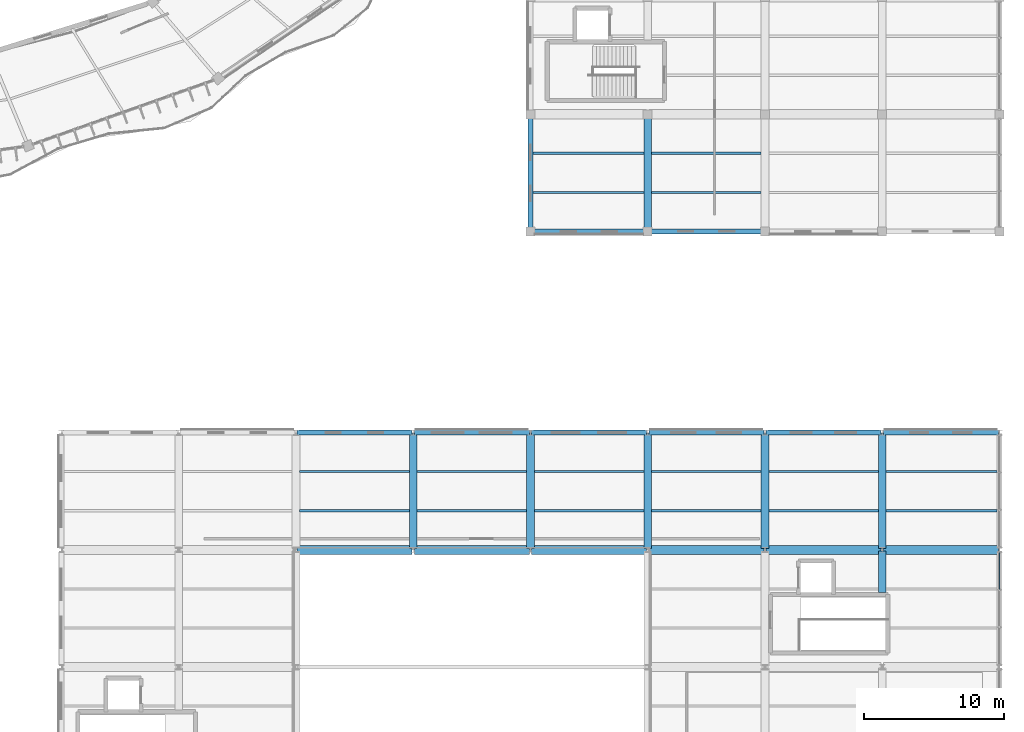
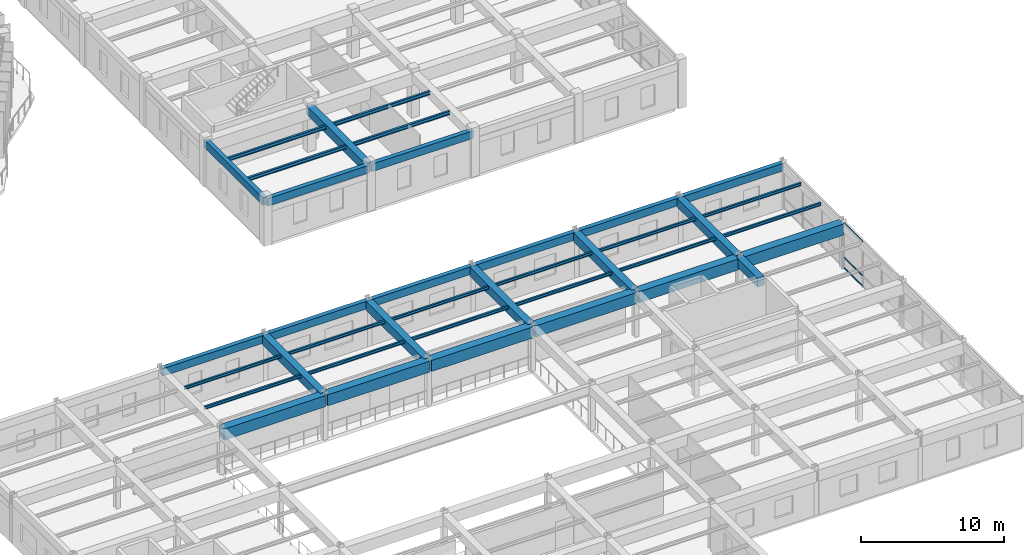
# One storey, part 82 of 138: 38 beams, 3 members, 1 element without a shape of its own.
"""IFC4 building model written with IfcOpenShell, lengths in metres."""

from ifc_helpers import new_model, si_unit, direction, frame, origin, origin_2d, place, context, subcontext, project, spatial, rectangle, hollow_rectangle, i_section, extrude, material, material_profile, profile_set, type_object, element, aggregate, save


model = new_model("IFC4")

# Units and contexts
model_context = context("Model", 3, precision=1e-05, world=origin(), true_north=direction((0.0, 1.0)))
body_context = subcontext(model_context, "Body", "Model", "MODEL_VIEW")
ifc_project = project(units=[si_unit("LENGTHUNIT", "METRE"), si_unit("AREAUNIT", "SQUARE_METRE"), si_unit("VOLUMEUNIT", "CUBIC_METRE"), si_unit("PLANEANGLEUNIT", "RADIAN"), si_unit("MASSUNIT", "GRAM", prefix="KILO"), si_unit("THERMODYNAMICTEMPERATUREUNIT", "KELVIN"), si_unit("POWERUNIT", "WATT")], contexts=[model_context])

# Site, building, storey
site_placement = place(None, origin())
site = spatial("IfcSite", under=ifc_project, at=site_placement, CompositionType="ELEMENT")
building_placement = place(site_placement, origin())
building = spatial("IfcBuilding", under=site, at=building_placement, Name="Darbajah Civic Hall", CompositionType="ELEMENT")
storey_placement = place(building_placement, frame((0.0, 0.0, 9.60009765625)))
storey = spatial("IfcBuildingStorey", under=building, at=storey_placement, Name="L02", CompositionType="ELEMENT", Elevation=9.60009765625)

# Curtain wall, members
ifc_material_1 = material(Name="Anodised Bronze Aluminium and Low-E Glazing", Category="aluminium")
curtain_wall_type = type_object("IfcCurtainWallType", Name="Unitised Curtain Wall CW-94 8000x3900", PredefinedType="USERDEFINED", material=ifc_material_1)
curtain_wall_placement = place(storey_placement, origin())
curtain_wall = element("IfcCurtainWall", 1, at=curtain_wall_placement, inside=storey, type_object=curtain_wall_type, Name="L02 unitised curtain wall CW-V3-L02-S3-B2", ObjectType="UNITISED CURTAIN WALL", PredefinedType="USERDEFINED")
ifc_material_2 = material(Name="Anodised Bronze Aluminium", Category="aluminium")
ifc_material_profile_1 = material_profile(ifc_material_2, hollow_rectangle(XDim=0.06005859375, YDim=0.1201171875, WallThickness=0.003173828125, at=origin_2d()), Name="ALU TRANSOM 60x120")
ifc_profile_set_1 = profile_set([ifc_material_profile_1], Name="Anodised Bronze Aluminium")
member_type = type_object("IfcMemberType", Name="ALU TRANSOM 60x120", PredefinedType="USERDEFINED", material=ifc_profile_set_1)
member_1_placement = place(storey_placement, frame((178.199951171875, 30.772216796875, 0.059814453125), z_axis=(0.0, 1.0, 0.0), x_axis=(-1.0, 0.0, 0.0)))
member_1 = element("IfcMember", 2, at=member_1_placement, type_object=member_type, Name="CW-V3-L02-S3-B2 transom 3.1", ObjectType="TRANSOM", PredefinedType="USERDEFINED", context=body_context, shape_type="SweptSolid", body=[
    extrude(hollow_rectangle(XDim=0.06005859375, YDim=0.1201171875, WallThickness=0.003173828125, at=origin_2d()), origin(), (0.0, 0.0, 1.0), 2.6044921875),
])
member_2_placement = place(storey_placement, frame((178.199951171875, 30.772216796875, 0.949951171875), z_axis=(0.0, 1.0, 0.0), x_axis=(-1.0, 0.0, 0.0)))
member_2 = element("IfcMember", 3, at=member_2_placement, type_object=member_type, Name="CW-V3-L02-S3-B2 transom 3.2", ObjectType="TRANSOM", PredefinedType="USERDEFINED", context=body_context, shape_type="SweptSolid", body=[
    extrude(hollow_rectangle(XDim=0.06005859375, YDim=0.1201171875, WallThickness=0.003173828125, at=origin_2d()), origin(), (0.0, 0.0, 1.0), 2.6044921875),
])
member_3_placement = place(storey_placement, frame((178.199951171875, 30.772216796875, 3.85986328125), z_axis=(0.0, 1.0, 0.0), x_axis=(-1.0, 0.0, 0.0)))
member_3 = element("IfcMember", 4, at=member_3_placement, type_object=member_type, Name="CW-V3-L02-S3-B2 transom 3.3", ObjectType="TRANSOM", PredefinedType="USERDEFINED", context=body_context, shape_type="SweptSolid", body=[
    extrude(hollow_rectangle(XDim=0.06005859375, YDim=0.1201171875, WallThickness=0.003173828125, at=origin_2d()), origin(), (0.0, 0.0, 1.0), 2.6044921875),
])
aggregate(curtain_wall, [member_1, member_2, member_3])

# Beams
ifc_material_3 = material(Name="Concrete C45/55", Category="concrete")
ifc_material_profile_2 = material_profile(ifc_material_3, rectangle(XDim=0.550048828125, YDim=0.75, at=origin_2d()), Name="RC BEAM 550x750")
ifc_profile_set_2 = profile_set([ifc_material_profile_2], Name="Concrete C45/55")
beam_type_1 = type_object("IfcBeamType", Name="RC BEAM 550x750", PredefinedType="BEAM", material=ifc_profile_set_2)
for number, where, z_axis, x_axis, name in (
    (5, (136.199951171875, 33.679931640625, 3.544921875), (0.0, 1.0, 0.0), (-1.0, 0.0, 0.0), "L02 beam BM-5575"),
    (6, (144.60009765625, 33.679931640625, 3.544921875), (0.0, 1.0, 0.0), (-1.0, 0.0, 0.0), "L02 beam BM-5575"),
    (7, (153.0, 33.679931640625, 3.544921875), (0.0, 1.0, 0.0), (-1.0, 0.0, 0.0), "L02 beam BM-5575"),
    (8, (161.39990234375, 33.679931640625, 3.544921875), (0.0, 1.0, 0.0), (-1.0, 0.0, 0.0), "L02 beam BM-5575"),
):
    element("IfcBeam", number, at=place(storey_placement, frame(where, z_axis=z_axis, x_axis=x_axis)), inside=storey, type_object=beam_type_1, Name=name, PredefinedType="BEAM", context=body_context, shape_type="SweptSolid", body=[
        extrude(rectangle(XDim=0.550048828125, YDim=0.75, at=origin_2d()), origin(), (0.0, 0.0, 1.0), 8.239990234375),
    ])
beam_1_placement = place(storey_placement, frame((169.800048828125, 30.5400390625, 3.544921875), z_axis=(0.0, 1.0, 0.0), x_axis=(-1.0, 0.0, 0.0)))
element("IfcBeam", 9, at=beam_1_placement, inside=storey, type_object=beam_type_1, Name="L02 beam BM-5575", PredefinedType="BEAM", context=body_context, shape_type="SweptSolid", body=[
    extrude(rectangle(XDim=0.550048828125, YDim=0.75, at=origin_2d()), origin(), (0.0, 0.0, 1.0), 2.97998046875),
])
for number, where, z_axis, x_axis, name in (
    (10, (169.800048828125, 33.679931640625, 3.544921875), (0.0, 1.0, 0.0), (-1.0, 0.0, 0.0), "L02 beam BM-5575"),
    (11, (153.0, 56.47998046875, 3.48486328125), (0.0, 1.0, 0.0), (-1.0, 0.0, 0.0), "L02 beam BM-5575"),
):
    element("IfcBeam", number, at=place(storey_placement, frame(where, z_axis=z_axis, x_axis=x_axis)), inside=storey, type_object=beam_type_1, Name=name, PredefinedType="BEAM", context=body_context, shape_type="SweptSolid", body=[
        extrude(rectangle(XDim=0.550048828125, YDim=0.75, at=origin_2d()), origin(), (0.0, 0.0, 1.0), 8.239990234375),
    ])
ifc_material_4 = material(Name="Concrete C50/60", Category="concrete")
ifc_material_profile_3 = material_profile(ifc_material_4, rectangle(XDim=0.64990234375, YDim=0.949951171875, at=origin_2d()), Name="RC GIRDER 650x950")
ifc_profile_set_3 = profile_set([ifc_material_profile_3], Name="Concrete C50/60")
beam_type_2 = type_object("IfcBeamType", Name="RC GIRDER 650x950", PredefinedType="BEAM", material=ifc_profile_set_3)
beam_2_placement = place(storey_placement, frame((127.8798828125, 33.60009765625, 3.44482421875), z_axis=(1.0, 0.0, 0.0), x_axis=(0.0, 1.0, 0.0)))
element("IfcBeam", 12, at=beam_2_placement, inside=storey, type_object=beam_type_2, Name="L02 beam BG-6595", PredefinedType="BEAM", context=body_context, shape_type="SweptSolid", body=[
    extrude(rectangle(XDim=0.64990234375, YDim=0.949951171875, at=origin_2d()), origin(), (0.0, 0.0, 1.0), 8.240234375),
])
for number, where, z_axis, x_axis, name in (
    (13, (136.280029296875, 33.60009765625, 3.44482421875), (1.0, 0.0, 0.0), (0.0, 1.0, 0.0), "L02 beam BG-6595"),
    (14, (144.679931640625, 33.60009765625, 3.44482421875), (1.0, 0.0, 0.0), (0.0, 1.0, 0.0), "L02 beam BG-6595"),
    (15, (153.080078125, 33.60009765625, 3.44482421875), (1.0, 0.0, 0.0), (0.0, 1.0, 0.0), "L02 beam BG-6595"),
    (16, (161.47998046875, 33.60009765625, 3.44482421875), (1.0, 0.0, 0.0), (0.0, 1.0, 0.0), "L02 beam BG-6595"),
):
    element("IfcBeam", number, at=place(storey_placement, frame(where, z_axis=z_axis, x_axis=x_axis)), inside=storey, type_object=beam_type_2, Name=name, PredefinedType="BEAM", context=body_context, shape_type="SweptSolid", body=[
        extrude(rectangle(XDim=0.64990234375, YDim=0.949951171875, at=origin_2d()), origin(), (0.0, 0.0, 1.0), 8.239990234375),
    ])
beam_3_placement = place(storey_placement, frame((169.8798828125, 33.60009765625, 3.44482421875), z_axis=(1.0, 0.0, 0.0), x_axis=(0.0, 1.0, 0.0)))
element("IfcBeam", 17, at=beam_3_placement, inside=storey, type_object=beam_type_2, Name="L02 beam BG-6595", PredefinedType="BEAM", context=body_context, shape_type="SweptSolid", body=[
    extrude(rectangle(XDim=0.64990234375, YDim=0.949951171875, at=origin_2d()), origin(), (0.0, 0.0, 1.0), 8.240234375),
])
ifc_material_profile_4 = material_profile(ifc_material_3, rectangle(XDim=0.35009765625, YDim=0.64990234375, at=origin_2d()), Name="RC SPANDREL 350x650")
ifc_profile_set_4 = profile_set([ifc_material_profile_4], Name="Concrete C45/55")
beam_type_3 = type_object("IfcBeamType", Name="RC SPANDREL 350x650", PredefinedType="SPANDREL", material=ifc_profile_set_4)
beam_4_placement = place(storey_placement, frame((127.8798828125, 42.0, 3.594970703125), z_axis=(1.0, 0.0, 0.0), x_axis=(0.0, 1.0, 0.0)))
element("IfcBeam", 18, at=beam_4_placement, inside=storey, type_object=beam_type_3, Name="L02 beam SP-3565", PredefinedType="SPANDREL", context=body_context, shape_type="SweptSolid", body=[
    extrude(rectangle(XDim=0.35009765625, YDim=0.64990234375, at=origin_2d()), origin(), (0.0, 0.0, 1.0), 8.240234375),
])
for number, where, z_axis, x_axis, name in (
    (19, (136.280029296875, 42.0, 3.594970703125), (1.0, 0.0, 0.0), (0.0, 1.0, 0.0), "L02 beam SP-3565"),
    (20, (144.679931640625, 42.0, 3.594970703125), (1.0, 0.0, 0.0), (0.0, 1.0, 0.0), "L02 beam SP-3565"),
    (21, (153.080078125, 42.0, 3.594970703125), (1.0, 0.0, 0.0), (0.0, 1.0, 0.0), "L02 beam SP-3565"),
    (22, (161.47998046875, 42.0, 3.594970703125), (1.0, 0.0, 0.0), (0.0, 1.0, 0.0), "L02 beam SP-3565"),
):
    element("IfcBeam", number, at=place(storey_placement, frame(where, z_axis=z_axis, x_axis=x_axis)), inside=storey, type_object=beam_type_3, Name=name, PredefinedType="SPANDREL", context=body_context, shape_type="SweptSolid", body=[
        extrude(rectangle(XDim=0.35009765625, YDim=0.64990234375, at=origin_2d()), origin(), (0.0, 0.0, 1.0), 8.239990234375),
    ])
beam_5_placement = place(storey_placement, frame((169.8798828125, 42.0, 3.594970703125), z_axis=(1.0, 0.0, 0.0), x_axis=(0.0, 1.0, 0.0)))
element("IfcBeam", 23, at=beam_5_placement, inside=storey, type_object=beam_type_3, Name="L02 beam SP-3565", PredefinedType="SPANDREL", context=body_context, shape_type="SweptSolid", body=[
    extrude(rectangle(XDim=0.35009765625, YDim=0.64990234375, at=origin_2d()), origin(), (0.0, 0.0, 1.0), 8.240234375),
])
for number, where, z_axis, x_axis, name in (
    (24, (144.679931640625, 56.39990234375, 3.534912109375), (1.0, 0.0, 0.0), (0.0, 1.0, 0.0), "L02 beam SP-3565"),
    (25, (153.080078125, 56.39990234375, 3.534912109375), (1.0, 0.0, 0.0), (0.0, 1.0, 0.0), "L02 beam SP-3565"),
    (26, (144.60009765625, 56.47998046875, 3.534912109375), (0.0, 1.0, 0.0), (-1.0, 0.0, 0.0), "L02 beam SP-3565"),
):
    element("IfcBeam", number, at=place(storey_placement, frame(where, z_axis=z_axis, x_axis=x_axis)), inside=storey, type_object=beam_type_3, Name=name, PredefinedType="SPANDREL", context=body_context, shape_type="SweptSolid", body=[
        extrude(rectangle(XDim=0.35009765625, YDim=0.64990234375, at=origin_2d()), origin(), (0.0, 0.0, 1.0), 8.239990234375),
    ])
ifc_material_5 = material(Name="Steel S355JR", Category="steel")
ifc_material_profile_5 = material_profile(ifc_material_5, i_section(OverallWidth=0.146484375, OverallDepth=0.256103515625, WebThickness=0.00634765625, FlangeThickness=0.010986328125, FilletRadius=0.007568359375, at=origin_2d()), Name="UB 254x146x37")
ifc_profile_set_5 = profile_set([ifc_material_profile_5], Name="Steel S355JR")
beam_type_4 = type_object("IfcBeamType", Name="UB 254x146x37", PredefinedType="JOIST", material=ifc_profile_set_5)
for number, where, z_axis, x_axis, name in (
    (27, (128.074951171875, 36.39990234375, 3.7919921875), (1.0, 0.0, 0.0), (0.0, 1.0, 0.0), "L02 beam SJ-254"),
    (28, (128.074951171875, 39.199951171875, 3.7919921875), (1.0, 0.0, 0.0), (0.0, 1.0, 0.0), "L02 beam SJ-254"),
):
    element("IfcBeam", number, at=place(storey_placement, frame(where, z_axis=z_axis, x_axis=x_axis)), inside=storey, type_object=beam_type_4, Name=name, PredefinedType="JOIST", context=body_context, shape_type="SweptSolid", body=[
        extrude(i_section(OverallWidth=0.146484375, OverallDepth=0.256103515625, WebThickness=0.00634765625, FlangeThickness=0.010986328125, FilletRadius=0.007568359375, at=origin_2d()), origin(), (0.0, 0.0, 1.0), 7.85009765625),
    ])
for number, where, z_axis, x_axis, name in (
    (29, (136.47509765625, 36.39990234375, 3.7919921875), (1.0, 0.0, 0.0), (0.0, 1.0, 0.0), "L02 beam SJ-254"),
    (30, (136.47509765625, 39.199951171875, 3.7919921875), (1.0, 0.0, 0.0), (0.0, 1.0, 0.0), "L02 beam SJ-254"),
):
    element("IfcBeam", number, at=place(storey_placement, frame(where, z_axis=z_axis, x_axis=x_axis)), inside=storey, type_object=beam_type_4, Name=name, PredefinedType="JOIST", context=body_context, shape_type="SweptSolid", body=[
        extrude(i_section(OverallWidth=0.146484375, OverallDepth=0.256103515625, WebThickness=0.00634765625, FlangeThickness=0.010986328125, FilletRadius=0.007568359375, at=origin_2d()), origin(), (0.0, 0.0, 1.0), 7.849853515625),
    ])
for number, where, z_axis, x_axis, name in (
    (31, (144.875, 36.39990234375, 3.7919921875), (1.0, 0.0, 0.0), (0.0, 1.0, 0.0), "L02 beam SJ-254"),
    (32, (144.875, 39.199951171875, 3.7919921875), (1.0, 0.0, 0.0), (0.0, 1.0, 0.0), "L02 beam SJ-254"),
    (33, (153.27490234375, 36.39990234375, 3.7919921875), (1.0, 0.0, 0.0), (0.0, 1.0, 0.0), "L02 beam SJ-254"),
    (34, (153.27490234375, 39.199951171875, 3.7919921875), (1.0, 0.0, 0.0), (0.0, 1.0, 0.0), "L02 beam SJ-254"),
):
    element("IfcBeam", number, at=place(storey_placement, frame(where, z_axis=z_axis, x_axis=x_axis)), inside=storey, type_object=beam_type_4, Name=name, PredefinedType="JOIST", context=body_context, shape_type="SweptSolid", body=[
        extrude(i_section(OverallWidth=0.146484375, OverallDepth=0.256103515625, WebThickness=0.00634765625, FlangeThickness=0.010986328125, FilletRadius=0.007568359375, at=origin_2d()), origin(), (0.0, 0.0, 1.0), 7.85009765625),
    ])
for number, where, z_axis, x_axis, name in (
    (35, (161.675048828125, 36.39990234375, 3.7919921875), (1.0, 0.0, 0.0), (0.0, 1.0, 0.0), "L02 beam SJ-254"),
    (36, (161.675048828125, 39.199951171875, 3.7919921875), (1.0, 0.0, 0.0), (0.0, 1.0, 0.0), "L02 beam SJ-254"),
):
    element("IfcBeam", number, at=place(storey_placement, frame(where, z_axis=z_axis, x_axis=x_axis)), inside=storey, type_object=beam_type_4, Name=name, PredefinedType="JOIST", context=body_context, shape_type="SweptSolid", body=[
        extrude(i_section(OverallWidth=0.146484375, OverallDepth=0.256103515625, WebThickness=0.00634765625, FlangeThickness=0.010986328125, FilletRadius=0.007568359375, at=origin_2d()), origin(), (0.0, 0.0, 1.0), 7.849853515625),
    ])
for number, where, z_axis, x_axis, name in (
    (37, (170.074951171875, 36.39990234375, 3.7919921875), (1.0, 0.0, 0.0), (0.0, 1.0, 0.0), "L02 beam SJ-254"),
    (38, (170.074951171875, 39.199951171875, 3.7919921875), (1.0, 0.0, 0.0), (0.0, 1.0, 0.0), "L02 beam SJ-254"),
):
    element("IfcBeam", number, at=place(storey_placement, frame(where, z_axis=z_axis, x_axis=x_axis)), inside=storey, type_object=beam_type_4, Name=name, PredefinedType="JOIST", context=body_context, shape_type="SweptSolid", body=[
        extrude(i_section(OverallWidth=0.146484375, OverallDepth=0.256103515625, WebThickness=0.00634765625, FlangeThickness=0.010986328125, FilletRadius=0.007568359375, at=origin_2d()), origin(), (0.0, 0.0, 1.0), 7.949951171875),
    ])
ifc_material_profile_6 = material_profile(ifc_material_5, i_section(OverallWidth=0.165771484375, OverallDepth=0.306640625, WebThickness=0.006591796875, FlangeThickness=0.01171875, FilletRadius=0.0087890625, at=origin_2d()), Name="UB 305x165x46")
ifc_profile_set_6 = profile_set([ifc_material_profile_6], Name="Steel S355JR")
beam_type_5 = type_object("IfcBeamType", Name="UB 305x165x46", PredefinedType="JOIST", material=ifc_profile_set_6)
for number, where, z_axis, x_axis, name in (
    (39, (144.77490234375, 59.199951171875, 3.70654296875), (1.0, 0.0, 0.0), (0.0, 1.0, 0.0), "L02 beam SJ-305"),
    (40, (144.77490234375, 62.0, 3.70654296875), (1.0, 0.0, 0.0), (0.0, 1.0, 0.0), "L02 beam SJ-305"),
):
    element("IfcBeam", number, at=place(storey_placement, frame(where, z_axis=z_axis, x_axis=x_axis)), inside=storey, type_object=beam_type_5, Name=name, PredefinedType="JOIST", context=body_context, shape_type="SweptSolid", body=[
        extrude(i_section(OverallWidth=0.165771484375, OverallDepth=0.306640625, WebThickness=0.006591796875, FlangeThickness=0.01171875, FilletRadius=0.0087890625, at=origin_2d()), origin(), (0.0, 0.0, 1.0), 7.9501953125),
    ])
for number, where, z_axis, x_axis, name in (
    (41, (153.27490234375, 59.199951171875, 3.70654296875), (1.0, 0.0, 0.0), (0.0, 1.0, 0.0), "L02 beam SJ-305"),
    (42, (153.27490234375, 62.0, 3.70654296875), (1.0, 0.0, 0.0), (0.0, 1.0, 0.0), "L02 beam SJ-305"),
):
    element("IfcBeam", number, at=place(storey_placement, frame(where, z_axis=z_axis, x_axis=x_axis)), inside=storey, type_object=beam_type_5, Name=name, PredefinedType="JOIST", context=body_context, shape_type="SweptSolid", body=[
        extrude(i_section(OverallWidth=0.165771484375, OverallDepth=0.306640625, WebThickness=0.006591796875, FlangeThickness=0.01171875, FilletRadius=0.0087890625, at=origin_2d()), origin(), (0.0, 0.0, 1.0), 7.85009765625),
    ])

save(model, "model.ifc")
